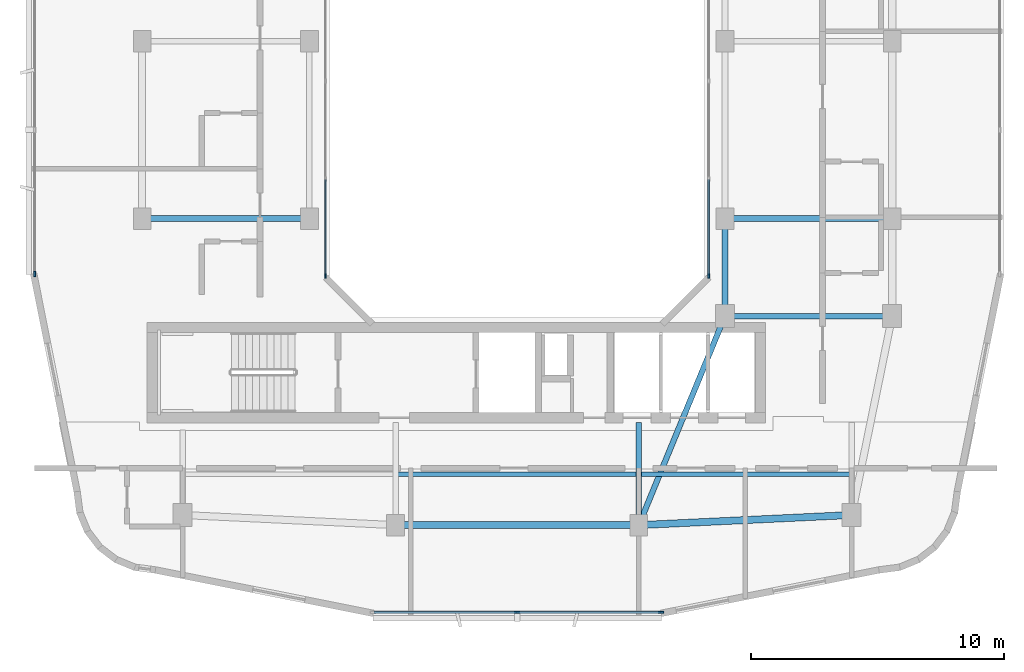
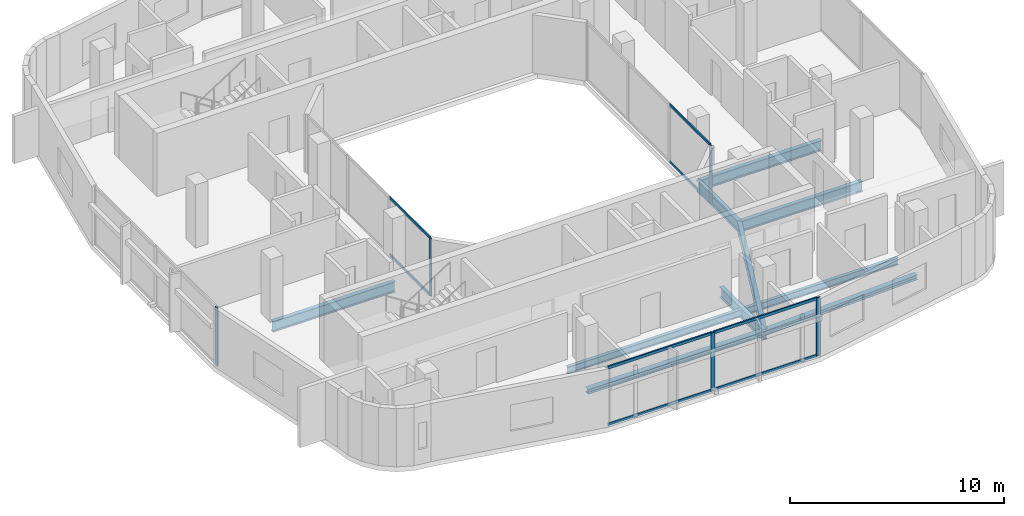
# One storey, part 2 of 14: 13 members, 10 beams, 4 elements without a shape of their own.
"""IFC4 building model written with IfcOpenShell, lengths in metres."""

from ifc_helpers import new_model, si_unit, derived_unit, direction, frame, origin, origin_2d, place, context, subcontext, project, spatial, rectangle, i_section, extrude, material, layer, layer_set, material_profile, profile_set, type_object, element, aggregate, save


model = new_model("IFC4")

# Units and contexts
model_context = context("Model", 3, precision=1e-05, world=origin(), true_north=direction((0.0, 1.0)))
body_context = subcontext(model_context, "Body", "Model", "MODEL_VIEW")
ifc_project = project(units=[si_unit("LENGTHUNIT", "METRE"), si_unit("AREAUNIT", "SQUARE_METRE"), si_unit("VOLUMEUNIT", "CUBIC_METRE"), si_unit("PLANEANGLEUNIT", "RADIAN"), si_unit("MASSUNIT", "GRAM", prefix="KILO"), derived_unit("THERMALTRANSMITTANCEUNIT", [(si_unit("POWERUNIT", "WATT"), 1), (si_unit("LENGTHUNIT", "METRE"), -2), (si_unit("THERMODYNAMICTEMPERATUREUNIT", "KELVIN"), -1)])], contexts=[model_context])

# Site, building, storey
site_placement = place(None, origin())
site = spatial("IfcSite", under=ifc_project, at=site_placement, CompositionType="ELEMENT")
building_placement = place(site_placement, origin())
building = spatial("IfcBuilding", under=site, at=building_placement, Name="Kivonza Crest Hotel", CompositionType="ELEMENT")
storey_placement = place(building_placement, frame((0.0, 0.0, 209.89990234375)))
storey = spatial("IfcBuildingStorey", under=building, at=storey_placement, Name="L57", CompositionType="ELEMENT", Elevation=209.89990234375)

# Beams
ifc_material_1 = material(Name="Steel S355", Category="steel")
ifc_material_profile_1 = material_profile(ifc_material_1, i_section(OverallWidth=0.280029296875, OverallDepth=0.280029296875, WebThickness=0.010498046875, FlangeThickness=0.01806640625, FilletRadius=0.02392578125, at=origin_2d()), Name="HEB 280")
ifc_profile_set_1 = profile_set([ifc_material_profile_1], Name="Steel S355")
beam_type_1 = type_object("IfcBeamType", Name="BM-HEB280", PredefinedType="SPANDREL", material=ifc_profile_set_1)
beam_1_placement = place(storey_placement, frame((16.199951171875, 9.39990234375, -0.419921875), z_axis=(1.0, 0.0, 0.0), x_axis=(0.0, 1.0, 0.0)))
element("IfcBeam", 1, at=beam_1_placement, inside=storey, type_object=beam_type_1, Name="Tower T1 L57 perimeter spandrel S1-S2", PredefinedType="SPANDREL", context=body_context, shape_type="SweptSolid", body=[
    extrude(i_section(OverallWidth=0.280029296875, OverallDepth=0.280029296875, WebThickness=0.010498046875, FlangeThickness=0.01806640625, FilletRadius=0.02392578125, at=origin_2d()), origin(), (0.0, 0.0, 1.0), 9.60009765625),
])
beam_2_placement = place(storey_placement, frame((25.800048828125, 9.39990234375, -0.419921875), z_axis=(0.998867283688, 0.047583080799, 0.0), x_axis=(-0.047583080799, 0.998867283688, 0.0)))
element("IfcBeam", 2, at=beam_2_placement, inside=storey, type_object=beam_type_1, Name="Tower T1 L57 perimeter spandrel S2-SE", PredefinedType="SPANDREL", context=body_context, shape_type="SweptSolid", body=[
    extrude(i_section(OverallWidth=0.280029296875, OverallDepth=0.280029296875, WebThickness=0.010498046875, FlangeThickness=0.01806640625, FilletRadius=0.02392578125, at=origin_2d()), origin(), (0.0, 0.0, 1.0), 8.409423828125),
])
ifc_material_profile_2 = material_profile(ifc_material_1, i_section(OverallWidth=0.179931640625, OverallDepth=0.39990234375, WebThickness=0.008544921875, FlangeThickness=0.013427734375, FilletRadius=0.02099609375, at=origin_2d()), Name="IPE 400")
ifc_profile_set_2 = profile_set([ifc_material_profile_2], Name="Steel S355")
beam_type_2 = type_object("IfcBeamType", Name="BM-IPE400", PredefinedType="JOIST", material=ifc_profile_set_2)
beam_3_placement = place(storey_placement, frame((16.280029296875, 11.39990234375, -0.47998046875), z_axis=(1.0, 0.0, 0.0), x_axis=(0.0, 1.0, 0.0)))
element("IfcBeam", 3, at=beam_3_placement, inside=storey, type_object=beam_type_2, Name="Tower T1 L57 South-Mid floor joist", PredefinedType="JOIST", context=body_context, shape_type="SweptSolid", body=[
    extrude(i_section(OverallWidth=0.179931640625, OverallDepth=0.39990234375, WebThickness=0.008544921875, FlangeThickness=0.013427734375, FilletRadius=0.02099609375, at=origin_2d()), origin(), (0.0, 0.0, 1.0), 9.43994140625),
])
beam_4_placement = place(storey_placement, frame((25.8798828125, 11.39990234375, -0.47998046875), z_axis=(1.0, 0.0, 0.0), x_axis=(0.0, 1.0, 0.0)))
element("IfcBeam", 4, at=beam_4_placement, inside=storey, type_object=beam_type_2, Name="Tower T1 L57 South-East floor joist", PredefinedType="JOIST", context=body_context, shape_type="SweptSolid", body=[
    extrude(i_section(OverallWidth=0.179931640625, OverallDepth=0.39990234375, WebThickness=0.008544921875, FlangeThickness=0.013427734375, FilletRadius=0.02099609375, at=origin_2d()), origin(), (0.0, 0.0, 1.0), 8.240234375),
])
ifc_material_profile_3 = material_profile(ifc_material_1, i_section(OverallWidth=0.219970703125, OverallDepth=0.60009765625, WebThickness=0.011962890625, FlangeThickness=0.01904296875, FilletRadius=0.02392578125, at=origin_2d()), Name="IPE 600")
ifc_profile_set_3 = profile_set([ifc_material_profile_3], Name="Steel S355")
beam_type_3 = type_object("IfcBeamType", Name="BM-IPE600", PredefinedType="BEAM", material=ifc_profile_set_3)
beam_5_placement = place(storey_placement, frame((6.199951171875, 21.5, -0.579833984375), z_axis=(1.0, 0.0, 0.0), x_axis=(0.0, 1.0, 0.0)))
element("IfcBeam", 5, at=beam_5_placement, inside=storey, type_object=beam_type_3, Name="Tower T1 L57 primary girder W1-WL1", PredefinedType="BEAM", context=body_context, shape_type="SweptSolid", body=[
    extrude(i_section(OverallWidth=0.219970703125, OverallDepth=0.60009765625, WebThickness=0.011962890625, FlangeThickness=0.01904296875, FilletRadius=0.02392578125, at=origin_2d()), origin(), (0.0, 0.0, 1.0), 6.60009765625),
])
beam_6_placement = place(storey_placement, frame((25.800048828125, 9.39990234375, -0.579833984375), z_axis=(0.381022260404, 0.924565864109, 0.0), x_axis=(-0.924565864109, 0.381022260404, 0.0)))
element("IfcBeam", 6, at=beam_6_placement, inside=storey, type_object=beam_type_3, Name="Tower T1 L57 primary girder S1-TSE", PredefinedType="BEAM", context=body_context, shape_type="SweptSolid", body=[
    extrude(i_section(OverallWidth=0.219970703125, OverallDepth=0.60009765625, WebThickness=0.011962890625, FlangeThickness=0.01904296875, FilletRadius=0.02392578125, at=origin_2d()), origin(), (0.0, 0.0, 1.0), 8.923095703125),
])
beam_7_placement = place(storey_placement, frame((29.199951171875, 17.64990234375, -0.579833984375), z_axis=(1.0, 0.0, 0.0), x_axis=(0.0, 1.0, 0.0)))
element("IfcBeam", 7, at=beam_7_placement, inside=storey, type_object=beam_type_3, Name="Tower T1 L57 primary girder TSE-PSE", PredefinedType="BEAM", context=body_context, shape_type="SweptSolid", body=[
    extrude(i_section(OverallWidth=0.219970703125, OverallDepth=0.60009765625, WebThickness=0.011962890625, FlangeThickness=0.01904296875, FilletRadius=0.02392578125, at=origin_2d()), origin(), (0.0, 0.0, 1.0), 6.60009765625),
])
beam_8_placement = place(storey_placement, frame((29.199951171875, 17.64990234375, -0.579833984375), z_axis=(0.0, 1.0, 0.0), x_axis=(-1.0, 0.0, 0.0)))
element("IfcBeam", 8, at=beam_8_placement, inside=storey, type_object=beam_type_3, Name="Tower T1 L57 primary girder TSE-WR1", PredefinedType="BEAM", context=body_context, shape_type="SweptSolid", body=[
    extrude(i_section(OverallWidth=0.219970703125, OverallDepth=0.60009765625, WebThickness=0.011962890625, FlangeThickness=0.01904296875, FilletRadius=0.02392578125, at=origin_2d()), origin(), (0.0, 0.0, 1.0), 3.85009765625),
])
beam_9_placement = place(storey_placement, frame((29.199951171875, 21.5, -0.579833984375), z_axis=(1.0, 0.0, 0.0), x_axis=(0.0, 1.0, 0.0)))
element("IfcBeam", 9, at=beam_9_placement, inside=storey, type_object=beam_type_3, Name="Tower T1 L57 primary girder WR1-E1", PredefinedType="BEAM", context=body_context, shape_type="SweptSolid", body=[
    extrude(i_section(OverallWidth=0.219970703125, OverallDepth=0.60009765625, WebThickness=0.011962890625, FlangeThickness=0.01904296875, FilletRadius=0.02392578125, at=origin_2d()), origin(), (0.0, 0.0, 1.0), 6.60009765625),
])
beam_10_placement = place(storey_placement, frame((25.800048828125, 9.39990234375, -0.579833984375), z_axis=(0.0, 1.0, 0.0), x_axis=(-1.0, 0.0, 0.0)))
element("IfcBeam", 10, at=beam_10_placement, inside=storey, type_object=beam_type_3, Name="Tower T1 L57 radial core girder RS2", PredefinedType="BEAM", context=body_context, shape_type="SweptSolid", body=[
    extrude(i_section(OverallWidth=0.219970703125, OverallDepth=0.60009765625, WebThickness=0.011962890625, FlangeThickness=0.01904296875, FilletRadius=0.02392578125, at=origin_2d()), origin(), (0.0, 0.0, 1.0), 4.050048828125),
])

# Curtain wall, member
ifc_material_2 = material(Name="Anodised bronze aluminium and low-E double glazing", Category="aluminium")
ifc_layer_1 = layer(ifc_material_2, 0.159912109375)
ifc_layer_set_1 = layer_set([ifc_layer_1], Name="Anodised bronze aluminium and low-E double glazing")
curtain_wall_type_1 = type_object("IfcCurtainWallType", Name="CW-SYS-5", PredefinedType="NOTDEFINED", material=ifc_layer_set_1)
curtain_wall_1_placement = place(storey_placement, origin())
curtain_wall_1 = element("IfcCurtainWall", 11, at=curtain_wall_1_placement, inside=storey, type_object=curtain_wall_type_1, Name="L57 unitised curtain wall CW-WELL-T1-L57-3", PredefinedType="NOTDEFINED")
ifc_material_3 = material(Name="Anodised bronze aluminium", Category="aluminium")
ifc_material_profile_4 = material_profile(ifc_material_3, rectangle(XDim=0.06494140625, YDim=0.179931640625, at=origin_2d()), Name="CW-M 65x180")
ifc_profile_set_4 = profile_set([ifc_material_profile_4], Name="Anodised bronze aluminium")
member_type_1 = type_object("IfcMemberType", Name="CW-MUL-65x180", PredefinedType="MULLION", material=ifc_profile_set_4)
member_1_placement = place(storey_placement, frame((28.56005859375, 19.232421875, 0.0), z_axis=(0.0, 0.0, 1.0), x_axis=(-1.0, 0.0, 0.0)))
member_1 = element("IfcMember", 12, at=member_1_placement, type_object=member_type_1, Name="CW-5 mullion 1", PredefinedType="MULLION", context=body_context, shape_type="SweptSolid", body=[
    extrude(rectangle(XDim=0.06494140625, YDim=0.179931640625, at=origin_2d()), origin(), (0.0, 0.0, 1.0), 3.320068359375),
])

curtain_wall_2_placement = place(storey_placement, origin())
curtain_wall_2 = element("IfcCurtainWall", 13, at=curtain_wall_2_placement, inside=storey, type_object=curtain_wall_type_1, Name="L57 unitised curtain wall CW-WELL-T1-L57-7", PredefinedType="NOTDEFINED")
member_2_placement = place(storey_placement, frame((13.43994140625, 19.232421875, 0.0), z_axis=(0.0, 0.0, 1.0), x_axis=(1.0, 0.0, 0.0)))
member_2 = element("IfcMember", 14, at=member_2_placement, type_object=member_type_1, Name="CW-5 mullion 4", PredefinedType="MULLION", context=body_context, shape_type="SweptSolid", body=[
    extrude(rectangle(XDim=0.06494140625, YDim=0.179931640625, at=origin_2d()), origin(), (0.0, 0.0, 1.0), 3.320068359375),
])

# Curtain wall, members
ifc_layer_2 = layer(ifc_material_2, 0.179931640625)
ifc_layer_set_2 = layer_set([ifc_layer_2], Name="Anodised bronze aluminium and low-E double glazing")
curtain_wall_type_2 = type_object("IfcCurtainWallType", Name="CW-SYS-3", PredefinedType="NOTDEFINED", material=ifc_layer_set_2)
curtain_wall_3_placement = place(storey_placement, origin())
curtain_wall_3 = element("IfcCurtainWall", 15, at=curtain_wall_3_placement, inside=storey, type_object=curtain_wall_type_2, Name="L57 unitised curtain wall CW-T1-L57-08", PredefinedType="NOTDEFINED")
ifc_material_profile_5 = material_profile(ifc_material_3, rectangle(XDim=0.074951171875, YDim=0.219970703125, at=origin_2d()), Name="CW-M 75x220")
ifc_profile_set_5 = profile_set([ifc_material_profile_5], Name="Anodised bronze aluminium")
member_type_2 = type_object("IfcMemberType", Name="CW-MUL-75x220", PredefinedType="MULLION", material=ifc_profile_set_5)
member_3_placement = place(storey_placement, frame((21.0, 5.9599609375, 0.0), z_axis=(0.0, 0.0, 1.0), x_axis=(0.0, 1.0, 0.0)))
member_3 = element("IfcMember", 16, at=member_3_placement, type_object=member_type_2, Name="CW-3 mullion 2", PredefinedType="MULLION", context=body_context, shape_type="SweptSolid", body=[
    extrude(rectangle(XDim=0.074951171875, YDim=0.219970703125, at=origin_2d()), origin(), (0.0, 0.0, 1.0), 3.320068359375),
])
member_4_placement = place(storey_placement, frame((26.6826171875, 5.9599609375, 0.0), z_axis=(0.0, 0.0, 1.0), x_axis=(0.0, 1.0, 0.0)))
member_4 = element("IfcMember", 17, at=member_4_placement, type_object=member_type_2, Name="CW-3 mullion 3", PredefinedType="MULLION", context=body_context, shape_type="SweptSolid", body=[
    extrude(rectangle(XDim=0.074951171875, YDim=0.219970703125, at=origin_2d()), origin(), (0.0, 0.0, 1.0), 3.320068359375),
])

# Curtain wall, member
curtain_wall_4_placement = place(storey_placement, origin())
curtain_wall_4 = element("IfcCurtainWall", 18, at=curtain_wall_4_placement, inside=storey, type_object=curtain_wall_type_2, Name="L57 unitised curtain wall CW-T1-L57-35", PredefinedType="NOTDEFINED")
member_5_placement = place(storey_placement, frame((1.9599609375, 19.3173828125, 0.0), z_axis=(0.0, 0.0, 1.0), x_axis=(1.0, 0.0, 0.0)))
member_5 = element("IfcMember", 19, at=member_5_placement, type_object=member_type_2, Name="CW-3 mullion 3", PredefinedType="MULLION", context=body_context, shape_type="SweptSolid", body=[
    extrude(rectangle(XDim=0.074951171875, YDim=0.219970703125, at=origin_2d()), origin(), (0.0, 0.0, 1.0), 3.320068359375),
])
aggregate(curtain_wall_4, [member_5])

# Member
ifc_material_profile_6 = material_profile(ifc_material_3, rectangle(XDim=0.06494140625, YDim=0.139892578125, at=origin_2d()), Name="CW-T 65x140")
ifc_profile_set_6 = profile_set([ifc_material_profile_6], Name="Anodised bronze aluminium")
member_type_3 = type_object("IfcMemberType", Name="CW-TRN-65x140", PredefinedType="USERDEFINED", material=ifc_profile_set_6)
member_6_placement = place(storey_placement, frame((28.56005859375, 19.264892578125, 0.03271484375), z_axis=(0.0, 1.0, 0.0), x_axis=(-1.0, 0.0, 0.0)))
member_6 = element("IfcMember", 20, at=member_6_placement, type_object=member_type_3, Name="CW-5 transom 1.1", ObjectType="TRANSOM", PredefinedType="USERDEFINED", context=body_context, shape_type="SweptSolid", body=[
    extrude(rectangle(XDim=0.06494140625, YDim=0.139892578125, at=origin_2d()), origin(), (0.0, 0.0, 1.0), 3.769287109375),
])

member_7_placement = place(storey_placement, frame((28.56005859375, 19.264892578125, 3.28759765625), z_axis=(0.0, 1.0, 0.0), x_axis=(-1.0, 0.0, 0.0)))
member_7 = element("IfcMember", 21, at=member_7_placement, type_object=member_type_3, Name="CW-5 transom 1.2", ObjectType="TRANSOM", PredefinedType="USERDEFINED", context=body_context, shape_type="SweptSolid", body=[
    extrude(rectangle(XDim=0.06494140625, YDim=0.139892578125, at=origin_2d()), origin(), (0.0, 0.0, 1.0), 3.769287109375),
])

aggregate(curtain_wall_1, [member_1, member_6, member_7])

member_8_placement = place(storey_placement, frame((13.43994140625, 23.0341796875, 0.03271484375), z_axis=(0.0, -1.0, 0.0), x_axis=(1.0, 0.0, 0.0)))
member_8 = element("IfcMember", 22, at=member_8_placement, type_object=member_type_3, Name="CW-5 transom 3.1", ObjectType="TRANSOM", PredefinedType="USERDEFINED", context=body_context, shape_type="SweptSolid", body=[
    extrude(rectangle(XDim=0.06494140625, YDim=0.139892578125, at=origin_2d()), origin(), (0.0, 0.0, 1.0), 3.769287109375),
])

member_9_placement = place(storey_placement, frame((13.43994140625, 23.0341796875, 3.28759765625), z_axis=(0.0, -1.0, 0.0), x_axis=(1.0, 0.0, 0.0)))
member_9 = element("IfcMember", 23, at=member_9_placement, type_object=member_type_3, Name="CW-5 transom 3.2", ObjectType="TRANSOM", PredefinedType="USERDEFINED", context=body_context, shape_type="SweptSolid", body=[
    extrude(rectangle(XDim=0.06494140625, YDim=0.139892578125, at=origin_2d()), origin(), (0.0, 0.0, 1.0), 3.769287109375),
])

aggregate(curtain_wall_2, [member_2, member_8, member_9])

ifc_material_profile_7 = material_profile(ifc_material_3, rectangle(XDim=0.074951171875, YDim=0.159912109375, at=origin_2d()), Name="CW-T 75x160")
ifc_profile_set_7 = profile_set([ifc_material_profile_7], Name="Anodised bronze aluminium")
member_type_4 = type_object("IfcMemberType", Name="CW-TRN-75x160", PredefinedType="USERDEFINED", material=ifc_profile_set_7)
member_10_placement = place(storey_placement, frame((15.35498046875, 5.9599609375, 0.03759765625), z_axis=(1.0, 0.0, 0.0), x_axis=(0.0, 1.0, 0.0)))
member_10 = element("IfcMember", 24, at=member_10_placement, type_object=member_type_4, Name="CW-3 transom 1.1", ObjectType="TRANSOM", PredefinedType="USERDEFINED", context=body_context, shape_type="SweptSolid", body=[
    extrude(rectangle(XDim=0.074951171875, YDim=0.159912109375, at=origin_2d()), origin(), (0.0, 0.0, 1.0), 5.607421875),
])

member_11_placement = place(storey_placement, frame((15.35498046875, 5.9599609375, 3.28271484375), z_axis=(1.0, 0.0, 0.0), x_axis=(0.0, 1.0, 0.0)))
member_11 = element("IfcMember", 25, at=member_11_placement, type_object=member_type_4, Name="CW-3 transom 1.2", ObjectType="TRANSOM", PredefinedType="USERDEFINED", context=body_context, shape_type="SweptSolid", body=[
    extrude(rectangle(XDim=0.074951171875, YDim=0.159912109375, at=origin_2d()), origin(), (0.0, 0.0, 1.0), 5.607421875),
])

member_12_placement = place(storey_placement, frame((21.03759765625, 5.9599609375, 0.03759765625), z_axis=(1.0, 0.0, 0.0), x_axis=(0.0, 1.0, 0.0)))
member_12 = element("IfcMember", 26, at=member_12_placement, type_object=member_type_4, Name="CW-3 transom 2.1", ObjectType="TRANSOM", PredefinedType="USERDEFINED", context=body_context, shape_type="SweptSolid", body=[
    extrude(rectangle(XDim=0.074951171875, YDim=0.159912109375, at=origin_2d()), origin(), (0.0, 0.0, 1.0), 5.607421875),
])

member_13_placement = place(storey_placement, frame((21.03759765625, 5.9599609375, 3.28271484375), z_axis=(1.0, 0.0, 0.0), x_axis=(0.0, 1.0, 0.0)))
member_13 = element("IfcMember", 27, at=member_13_placement, type_object=member_type_4, Name="CW-3 transom 2.2", ObjectType="TRANSOM", PredefinedType="USERDEFINED", context=body_context, shape_type="SweptSolid", body=[
    extrude(rectangle(XDim=0.074951171875, YDim=0.159912109375, at=origin_2d()), origin(), (0.0, 0.0, 1.0), 5.607421875),
])

aggregate(curtain_wall_3, [member_3, member_4, member_10, member_11, member_12, member_13])

save(model, "model.ifc")
